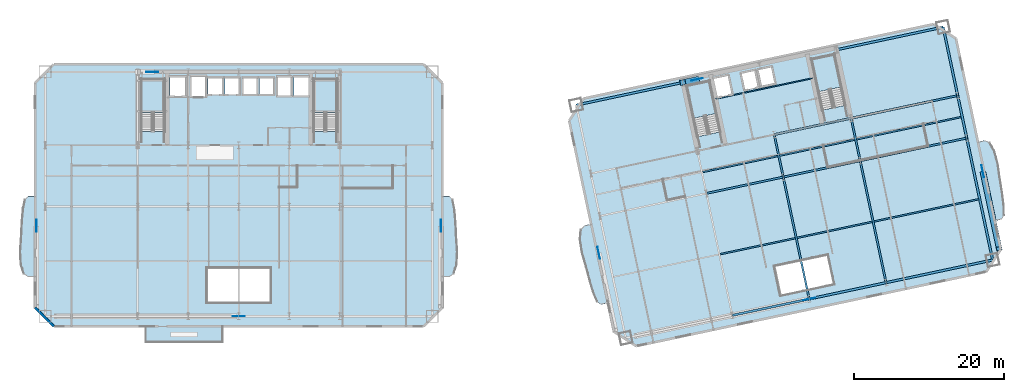
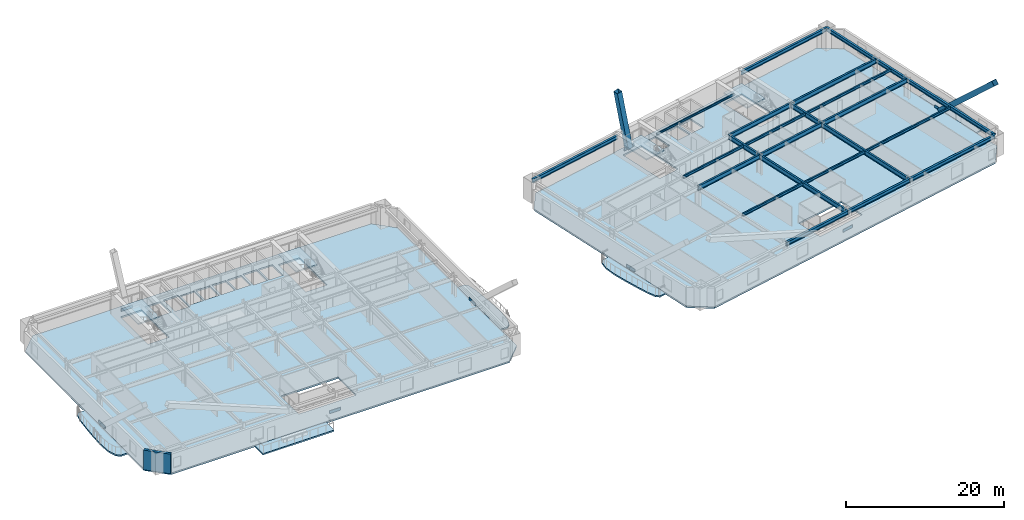
# One storey, part 4 of 17: 24 beams, 11 slabs, 8 plates, 2 members, 1 wall, 4 elements without a shape of their own.
"""IFC4 building model written with IfcOpenShell, lengths in metres."""

from ifc_helpers import new_model, si_unit, direction, frame, frame_2d, origin, origin_2d, place, context, subcontext, project, spatial, polyline, rectangle, hollow_rectangle, i_section, outline, extrude, material, layer, layer_set, material_profile, profile_set, type_object, element, aggregate, save


model = new_model("IFC4")

# Units and contexts
model_context = context("Model", 3, precision=1e-05, world=origin(), true_north=direction((0.0, 1.0)))
body_context = subcontext(model_context, "Body", "Model", "MODEL_VIEW")
ifc_project = project(units=[si_unit("LENGTHUNIT", "METRE"), si_unit("AREAUNIT", "SQUARE_METRE"), si_unit("VOLUMEUNIT", "CUBIC_METRE"), si_unit("PLANEANGLEUNIT", "RADIAN"), si_unit("MASSUNIT", "GRAM", prefix="KILO")], contexts=[model_context])

# Site, building, storey
site_placement = place(None, origin())
site = spatial("IfcSite", under=ifc_project, at=site_placement, CompositionType="ELEMENT")
building_placement = place(site_placement, origin())
building = spatial("IfcBuilding", under=site, at=building_placement, Name="Haevon Station Towers", CompositionType="ELEMENT")
storey_placement = place(building_placement, frame((0.0, 0.0, 40.5)))
storey = spatial("IfcBuildingStorey", under=building, at=storey_placement, Name="L09", CompositionType="ELEMENT", Elevation=40.5)

# Beams
ifc_material_1 = material(Name="Steel S355", Category="steel")
ifc_material_profile_1 = material_profile(ifc_material_1, i_section(OverallWidth=0.25, OverallDepth=0.699951171875, WebThickness=0.012939453125, FlangeThickness=0.02392578125, at=origin_2d()), Name="H-700x250x13x24")
ifc_profile_set_1 = profile_set([ifc_material_profile_1], Name="Steel S355")
beam_type_1 = type_object("IfcBeamType", Name="BM-G700", PredefinedType="BEAM", material=ifc_profile_set_1)
for number, where, z_axis, x_axis, name in (
    (1, (99.958251953125, 31.76904296875, 2.699951171875), (0.978146794194, 0.207915485254, 0.0), (-0.207915485254, 0.978146794194, 0.0), "BM-T2U-L09-02-02"),
    (2, (110.228759765625, 33.9521484375, 2.699951171875), (0.978146794194, 0.207915485254, 0.0), (-0.207915485254, 0.978146794194, 0.0), "BM-T2U-L09-02-03"),
):
    element("IfcBeam", number, at=place(storey_placement, frame(where, z_axis=z_axis, x_axis=x_axis)), inside=storey, type_object=beam_type_1, Name=name, PredefinedType="BEAM", context=body_context, shape_type="SweptSolid", body=[
        extrude(i_section(OverallWidth=0.25, OverallDepth=0.699951171875, WebThickness=0.012939453125, FlangeThickness=0.02392578125, at=origin_2d()), origin(), (0.0, 0.0, 1.0), 10.5),
    ])
beam_1_placement = place(storey_placement, frame((120.499267578125, 36.13525390625, 2.699951171875), z_axis=(0.978147548738, 0.207911935439, 0.0), x_axis=(-0.207911935439, 0.978147548738, 0.0)))
element("IfcBeam", 3, at=beam_1_placement, inside=storey, type_object=beam_type_1, Name="BM-T2U-L09-02-04", PredefinedType="BEAM", context=body_context, shape_type="SweptSolid", body=[
    extrude(i_section(OverallWidth=0.25, OverallDepth=0.699951171875, WebThickness=0.012939453125, FlangeThickness=0.02392578125, at=origin_2d()), origin(), (0.0, 0.0, 1.0), 14.550048828125),
])
beam_2_placement = place(storey_placement, frame((109.02294921875, 39.62548828125, 2.699951171875), z_axis=(0.978146794194, 0.207915485254, 0.0), x_axis=(-0.207915485254, 0.978146794194, 0.0)))
element("IfcBeam", 4, at=beam_2_placement, inside=storey, type_object=beam_type_1, Name="BM-T2U-L09-03-03", PredefinedType="BEAM", context=body_context, shape_type="SweptSolid", body=[
    extrude(i_section(OverallWidth=0.25, OverallDepth=0.699951171875, WebThickness=0.012939453125, FlangeThickness=0.02392578125, at=origin_2d()), origin(), (0.0, 0.0, 1.0), 10.5),
])
beam_3_placement = place(storey_placement, frame((119.29345703125, 41.80859375, 2.699951171875), z_axis=(0.978146823396, 0.207915347869, 0.0), x_axis=(-0.207915347869, 0.978146823396, 0.0)))
element("IfcBeam", 5, at=beam_3_placement, inside=storey, type_object=beam_type_1, Name="BM-T2U-L09-03-04", PredefinedType="BEAM", context=body_context, shape_type="SweptSolid", body=[
    extrude(i_section(OverallWidth=0.25, OverallDepth=0.699951171875, WebThickness=0.012939453125, FlangeThickness=0.02392578125, at=origin_2d()), origin(), (0.0, 0.0, 1.0), 14.5498046875),
])
beam_4_placement = place(storey_placement, frame((113.6904296875, 17.666015625, 2.699951171875), z_axis=(-0.20790856066, 0.978148266064, 0.0), x_axis=(-0.978148266064, -0.20790856066, 0.0)))
element("IfcBeam", 6, at=beam_4_placement, inside=storey, type_object=beam_type_1, Name="BM-T2V-L09-03-01", PredefinedType="BEAM", context=body_context, shape_type="SweptSolid", body=[
    extrude(i_section(OverallWidth=0.25, OverallDepth=0.699951171875, WebThickness=0.012939453125, FlangeThickness=0.02392578125, at=origin_2d()), origin(), (0.0, 0.0, 1.0), 16.64990234375),
])
beam_5_placement = place(storey_placement, frame((110.228759765625, 33.9521484375, 2.699951171875), z_axis=(-0.207896009217, 0.97815093383, 0.0), x_axis=(-0.97815093383, -0.207896009217, 0.0)))
element("IfcBeam", 7, at=beam_5_placement, inside=storey, type_object=beam_type_1, Name="BM-T2V-L09-03-02", PredefinedType="BEAM", context=body_context, shape_type="SweptSolid", body=[
    extrude(i_section(OverallWidth=0.25, OverallDepth=0.699951171875, WebThickness=0.012939453125, FlangeThickness=0.02392578125, at=origin_2d()), origin(), (0.0, 0.0, 1.0), 5.800048828125),
])
beam_6_placement = place(storey_placement, frame((123.961181640625, 19.84912109375, 2.699951171875), z_axis=(-0.207922589901, 0.978145283999, 0.0), x_axis=(-0.978145283999, -0.207922589901, 0.0)))
element("IfcBeam", 8, at=beam_6_placement, inside=storey, type_object=beam_type_1, Name="BM-T2V-L09-04-01", PredefinedType="BEAM", context=body_context, shape_type="SweptSolid", body=[
    extrude(i_section(OverallWidth=0.25, OverallDepth=0.699951171875, WebThickness=0.012939453125, FlangeThickness=0.02392578125, at=origin_2d()), origin(), (0.0, 0.0, 1.0), 16.64990234375),
])
beam_7_placement = place(storey_placement, frame((120.499267578125, 36.13525390625, 2.699951171875), z_axis=(-0.207896009217, 0.97815093383, 0.0), x_axis=(-0.97815093383, -0.207896009217, 0.0)))
element("IfcBeam", 9, at=beam_7_placement, inside=storey, type_object=beam_type_1, Name="BM-T2V-L09-04-02", PredefinedType="BEAM", context=body_context, shape_type="SweptSolid", body=[
    extrude(i_section(OverallWidth=0.25, OverallDepth=0.699951171875, WebThickness=0.012939453125, FlangeThickness=0.02392578125, at=origin_2d()), origin(), (0.0, 0.0, 1.0), 5.800048828125),
])
ifc_material_profile_2 = material_profile(ifc_material_1, i_section(OverallWidth=0.199951171875, OverallDepth=0.39990234375, WebThickness=0.008056640625, FlangeThickness=0.012939453125, at=origin_2d()), Name="H-400x200x8x13")
ifc_profile_set_2 = profile_set([ifc_material_profile_2], Name="Steel S355")
beam_type_2 = type_object("IfcBeamType", Name="BM-J400", PredefinedType="JOIST", material=ifc_profile_set_2)
for number, where, z_axis, x_axis, name in (
    (10, (101.796630859375, 23.64892578125, 2.85009765625), (0.978145509903, 0.207921527161, 0.0), (-0.207921527161, 0.978145509903, 0.0), "BM-T2J-L09-01-02"),
    (11, (112.067138671875, 25.83203125, 2.85009765625), (0.978150339653, 0.207898804801, 0.0), (-0.207898804801, 0.978150339653, 0.0), "BM-T2J-L09-01-03"),
):
    element("IfcBeam", number, at=place(storey_placement, frame(where, z_axis=z_axis, x_axis=x_axis)), inside=storey, type_object=beam_type_2, Name=name, PredefinedType="JOIST", context=body_context, shape_type="SweptSolid", body=[
        extrude(i_section(OverallWidth=0.199951171875, OverallDepth=0.39990234375, WebThickness=0.008056640625, FlangeThickness=0.012939453125, at=origin_2d()), origin(), (0.0, 0.0, 1.0), 10.280029296875),
    ])
beam_8_placement = place(storey_placement, frame((122.337890625, 28.01513671875, 2.85009765625), z_axis=(0.978149367314, 0.207903379537, 0.0), x_axis=(-0.207903379537, 0.978149367314, 0.0)))
element("IfcBeam", 12, at=beam_8_placement, inside=storey, type_object=beam_type_2, Name="BM-T2J-L09-01-04", PredefinedType="JOIST", context=body_context, shape_type="SweptSolid", body=[
    extrude(i_section(OverallWidth=0.199951171875, OverallDepth=0.39990234375, WebThickness=0.008056640625, FlangeThickness=0.012939453125, at=origin_2d()), origin(), (0.0, 0.0, 1.0), 14.330078125),
])
for number, where, z_axis, x_axis, name in (
    (13, (99.462890625, 34.628662109375, 2.85009765625), (0.978150339653, 0.207898804801, 0.0), (-0.207898804801, 0.978150339653, 0.0), "BM-T2J-L09-02-02"),
    (14, (109.7333984375, 36.811767578125, 2.85009765625), (0.978150339653, 0.207898804801, 0.0), (-0.207898804801, 0.978150339653, 0.0), "BM-T2J-L09-02-03"),
):
    element("IfcBeam", number, at=place(storey_placement, frame(where, z_axis=z_axis, x_axis=x_axis)), inside=storey, type_object=beam_type_2, Name=name, PredefinedType="JOIST", context=body_context, shape_type="SweptSolid", body=[
        extrude(i_section(OverallWidth=0.199951171875, OverallDepth=0.39990234375, WebThickness=0.008056640625, FlangeThickness=0.012939453125, at=origin_2d()), origin(), (0.0, 0.0, 1.0), 10.280029296875),
    ])
beam_9_placement = place(storey_placement, frame((120.00390625, 38.994873046875, 2.85009765625), z_axis=(0.978149367314, 0.207903379537, 0.0), x_axis=(-0.207903379537, 0.978149367314, 0.0)))
element("IfcBeam", 15, at=beam_9_placement, inside=storey, type_object=beam_type_2, Name="BM-T2J-L09-02-04", PredefinedType="JOIST", context=body_context, shape_type="SweptSolid", body=[
    extrude(i_section(OverallWidth=0.199951171875, OverallDepth=0.39990234375, WebThickness=0.008056640625, FlangeThickness=0.012939453125, at=origin_2d()), origin(), (0.0, 0.0, 1.0), 14.330078125),
])
ifc_material_profile_3 = material_profile(ifc_material_1, i_section(OverallWidth=0.14990234375, OverallDepth=0.300048828125, WebThickness=0.006591796875, FlangeThickness=0.009033203125, at=origin_2d()), Name="H-300x150x6.5x9")
ifc_profile_set_3 = profile_set([ifc_material_profile_3], Name="Steel S355")
beam_type_3 = type_object("IfcBeamType", Name="BM-LIN300", PredefinedType="LINTEL", material=ifc_profile_set_3)
beam_10_placement = place(storey_placement, frame((101.20849609375, 44.4052734375, 2.89990234375), z_axis=(0.978147802964, 0.207910739399, 0.0), x_axis=(-0.207910739399, 0.978147802964, 0.0)))
element("IfcBeam", 16, at=beam_10_placement, inside=storey, type_object=beam_type_3, Name="BM-T2LIN-L09", PredefinedType="LINTEL", context=body_context, shape_type="SweptSolid", body=[
    extrude(i_section(OverallWidth=0.14990234375, OverallDepth=0.300048828125, WebThickness=0.006591796875, FlangeThickness=0.009033203125, at=origin_2d()), origin(), (0.0, 0.0, 1.0), 13.19970703125),
])
ifc_material_profile_4 = material_profile(ifc_material_1, i_section(OverallWidth=0.300048828125, OverallDepth=0.587890625, WebThickness=0.011962890625, FlangeThickness=0.02001953125, at=origin_2d()), Name="H-588x300x12x20")
ifc_profile_set_4 = profile_set([ifc_material_profile_4], Name="Steel S355")
beam_type_4 = type_object("IfcBeamType", Name="BM-SP588", PredefinedType="SPANDREL", material=ifc_profile_set_4)
beam_11_placement = place(storey_placement, frame((103.419921875, 15.48291015625, 2.756103515625), z_axis=(0.978146794194, 0.207915485254, 0.0), x_axis=(-0.207915485254, 0.978146794194, 0.0)))
element("IfcBeam", 17, at=beam_11_placement, inside=storey, type_object=beam_type_4, Name="BM-T2U-L09-01-02", PredefinedType="SPANDREL", context=body_context, shape_type="SweptSolid", body=[
    extrude(i_section(OverallWidth=0.300048828125, OverallDepth=0.587890625, WebThickness=0.011962890625, FlangeThickness=0.02001953125, at=origin_2d()), origin(), (0.0, 0.0, 1.0), 10.5),
])
beam_12_placement = place(storey_placement, frame((113.6904296875, 17.666015625, 2.756103515625), z_axis=(0.978147799298, 0.207910756646, 0.0), x_axis=(-0.207910756646, 0.978147799298, 0.0)))
element("IfcBeam", 18, at=beam_12_placement, inside=storey, type_object=beam_type_4, Name="BM-T2U-L09-01-03", PredefinedType="SPANDREL", context=body_context, shape_type="SweptSolid", body=[
    extrude(i_section(OverallWidth=0.300048828125, OverallDepth=0.587890625, WebThickness=0.011962890625, FlangeThickness=0.02001953125, at=origin_2d()), origin(), (0.0, 0.0, 1.0), 10.500244140625),
])
for number, where, z_axis, x_axis, name in (
    (19, (123.961181640625, 19.84912109375, 2.756103515625), (0.978146823396, 0.207915347869, 0.0), (-0.207915347869, 0.978146823396, 0.0), "BM-T2U-L09-01-04"),
    (20, (82.576416015625, 43.56298828125, 2.756103515625), (0.978146823396, 0.207915347869, 0.0), (-0.207915347869, 0.978146823396, 0.0), "BM-T2U-L09-04-01"),
):
    element("IfcBeam", number, at=place(storey_placement, frame(where, z_axis=z_axis, x_axis=x_axis)), inside=storey, type_object=beam_type_4, Name=name, PredefinedType="SPANDREL", context=body_context, shape_type="SweptSolid", body=[
        extrude(i_section(OverallWidth=0.300048828125, OverallDepth=0.587890625, WebThickness=0.011962890625, FlangeThickness=0.02001953125, at=origin_2d()), origin(), (0.0, 0.0, 1.0), 14.5498046875),
    ])
beam_13_placement = place(storey_placement, frame((117.349365234375, 50.954345703125, 2.756103515625), z_axis=(0.978150960994, 0.207895881409, 0.0), x_axis=(-0.207895881409, 0.978150960994, 0.0)))
element("IfcBeam", 21, at=beam_13_placement, inside=storey, type_object=beam_type_4, Name="BM-T2U-L09-04-04", PredefinedType="SPANDREL", context=body_context, shape_type="SweptSolid", body=[
    extrude(i_section(OverallWidth=0.300048828125, OverallDepth=0.587890625, WebThickness=0.011962890625, FlangeThickness=0.02001953125, at=origin_2d()), origin(), (0.0, 0.0, 1.0), 14.550048828125),
])
beam_14_placement = place(storey_placement, frame((138.193115234375, 22.874267578125, 2.756103515625), z_axis=(-0.20790856066, 0.978148266064, 0.0), x_axis=(-0.978148266064, -0.20790856066, 0.0)))
element("IfcBeam", 22, at=beam_14_placement, inside=storey, type_object=beam_type_4, Name="BM-T2V-L09-05-01", PredefinedType="SPANDREL", context=body_context, shape_type="SweptSolid", body=[
    extrude(i_section(OverallWidth=0.300048828125, OverallDepth=0.587890625, WebThickness=0.011962890625, FlangeThickness=0.02001953125, at=origin_2d()), origin(), (0.0, 0.0, 1.0), 16.64990234375),
])
beam_15_placement = place(storey_placement, frame((134.7314453125, 39.160400390625, 2.756103515625), z_axis=(-0.207936282142, 0.978142373363, 0.0), x_axis=(-0.978142373363, -0.207936282142, 0.0)))
element("IfcBeam", 23, at=beam_15_placement, inside=storey, type_object=beam_type_4, Name="BM-T2V-L09-05-02", PredefinedType="SPANDREL", context=body_context, shape_type="SweptSolid", body=[
    extrude(i_section(OverallWidth=0.300048828125, OverallDepth=0.587890625, WebThickness=0.011962890625, FlangeThickness=0.02001953125, at=origin_2d()), origin(), (0.0, 0.0, 1.0), 5.800048828125),
])
beam_16_placement = place(storey_placement, frame((133.525390625, 44.833740234375, 2.756103515625), z_axis=(-0.207902477038, 0.978149559138, 0.0), x_axis=(-0.978149559138, -0.207902477038, 0.0)))
element("IfcBeam", 24, at=beam_16_placement, inside=storey, type_object=beam_type_4, Name="BM-T2V-L09-05-03", PredefinedType="SPANDREL", context=body_context, shape_type="SweptSolid", body=[
    extrude(i_section(OverallWidth=0.300048828125, OverallDepth=0.587890625, WebThickness=0.011962890625, FlangeThickness=0.02001953125, at=origin_2d()), origin(), (0.0, 0.0, 1.0), 9.349853515625),
])

# Members
ifc_material_2 = material(Name="Steel S460", Category="steel")
ifc_material_profile_5 = material_profile(ifc_material_2, hollow_rectangle(XDim=0.75, YDim=0.75, WallThickness=0.035888671875, at=origin_2d()), Name="RHS-750x750x36")
ifc_profile_set_5 = profile_set([ifc_material_profile_5], Name="Steel S460")
member_type = type_object("IfcMemberType", Name="MB-750", PredefinedType="BRACE", material=ifc_profile_set_5)
member_1_placement = place(storey_placement, frame((98.618896484375, 46.972900390625, 0.244873046875), z_axis=(-0.186968982425, -0.039733429922, 0.981561946164), x_axis=(0.207871375742, -0.978156169099, 0.0)))
element("IfcMember", 25, at=member_1_placement, inside=storey, type_object=member_type, Name="BR-T2MB-T00-N-D2B", PredefinedType="BRACE", context=body_context, shape_type="SweptSolid", body=[
    extrude(hollow_rectangle(XDim=0.75, YDim=0.75, WallThickness=0.035888671875, at=origin_2d()), origin(), (0.0, 0.0, 1.0), 9.68359375),
])
member_2_placement = place(storey_placement, frame((136.927490234375, 34.45654296875, 0.129150390625), z_axis=(0.151886920383, -0.714570342146, 0.68287596937), x_axis=(0.97814751572, 0.207912090777, 0.0)))
element("IfcMember", 26, at=member_2_placement, inside=storey, type_object=member_type, Name="BR-T2MB-T00-E-D2B", PredefinedType="BRACE", context=body_context, shape_type="SweptSolid", body=[
    extrude(hollow_rectangle(XDim=0.75, YDim=0.75, WallThickness=0.035888671875, at=origin_2d()), origin(), (0.0, 0.0, 1.0), 14.088623046875),
])

# Plates
ifc_material_3 = material(Name="PL-GUS1", Category="steel")
ifc_layer_1 = layer(ifc_material_3, 0.035888671875)
ifc_layer_set_1 = layer_set([ifc_layer_1], Name="PL-GUS1")
plate_type = type_object("IfcPlateType", Name="PL-GUS1", PredefinedType="USERDEFINED", material=ifc_layer_set_1)
for number, where, z_axis, x_axis, name in (
    (27, (37.5, 15.35009765625, -0.68505859375), (0.0, 0.0, 1.0), (1.0, 0.0, 0.0), "PL-T1GUS-T00-S"),
    (28, (25.97509765625, 48.0, -0.68505859375), (0.0, 0.0, 1.0), (1.0, 0.0, 0.0), "PL-T1GUS-T00-N"),
    (29, (10.47998046875, 27.425048828125, -0.68505859375), (0.0, 0.0, 1.0), (0.0, 1.0, 0.0), "PL-T1GUS-T00-W"),
    (30, (64.52001953125, 27.425048828125, -0.68505859375), (0.0, 0.0, 1.0), (0.0, 1.0, 0.0), "PL-T1GUS-T00-E"),
    (31, (113.6904296875, 17.666015625, -0.68505859375), (0.0, 0.0, 1.0), (0.978147600734, 0.207911690818, 0.0), "PL-T2GUS-T00-S"),
    (32, (98.69140625, 46.98828125, -0.68505859375), (0.0, 0.0, 1.0), (0.978147600734, 0.207911690818, 0.0), "PL-T2GUS-T00-N"),
    (33, (85.574462890625, 23.830078125, -0.68505859375), (0.0, 0.0, 1.0), (-0.207911690818, 0.978147600734, 0.0), "PL-T2GUS-T00-W"),
    (34, (136.86865234375, 34.73291015625, -0.68505859375), (0.0, 0.0, 1.0), (-0.207911690818, 0.978147600734, 0.0), "PL-T2GUS-T00-E"),
):
    element("IfcPlate", number, at=place(storey_placement, frame(where, z_axis=z_axis, x_axis=x_axis)), inside=storey, type_object=plate_type, Name=name, ObjectType="GUSSET_PLATE", PredefinedType="USERDEFINED", context=body_context, shape_type="SweptSolid", body=[
        extrude(rectangle(XDim=1.60009765625, YDim=0.035888671875, at=origin_2d()), origin(), (0.0, 0.0, 1.0), 1.10009765625),
    ])

# Slabs
ifc_material_4 = material(Name="Concrete C40/50", Category="concrete")
ifc_layer_2 = layer(ifc_material_4, 0.219970703125)
ifc_layer_set_2 = layer_set([ifc_layer_2], Name="Concrete C40/50")
slab_type_1 = type_object("IfcSlabType", Name="SL-BALC220", PredefinedType="FLOOR", material=ifc_layer_set_2)
slab_1_placement = place(storey_placement, frame((0.0, 0.0, -0.219970703125)))
element("IfcSlab", 35, at=slab_1_placement, inside=storey, type_object=slab_type_1, Name="Tower 1 L09 West SCALLOPED BALCONY", PredefinedType="FLOOR", context=body_context, shape_type="SweptSolid", body=[
    extrude(outline(polyline([(10.294921875, 31.39990234375), (9.337646484375, 31.39990234375), (8.94677734375, 30.989013671875), (8.70068359375, 29.818359375), (8.5302734375, 28.06640625), (8.37451171875, 26.0), (8.28759765625, 23.93359375), (8.40283203125, 22.181640625), (8.783935546875, 21.010986328125), (9.337646484375, 20.60009765625), (10.294921875, 20.60009765625), (10.294921875, 31.39990234375)])), origin(), (0.0, 0.0, 1.0), 0.219970703125),
])
slab_2_placement = place(storey_placement, frame((0.0, 0.0, -0.219970703125)))
element("IfcSlab", 36, at=slab_2_placement, inside=storey, type_object=slab_type_1, Name="Tower 1 L09 East SCALLOPED BALCONY", PredefinedType="FLOOR", context=body_context, shape_type="SweptSolid", body=[
    extrude(outline(polyline([(64.705078125, 20.60009765625), (65.662353515625, 20.60009765625), (66.216064453125, 21.010986328125), (66.59716796875, 22.181640625), (66.71240234375, 23.93359375), (66.62548828125, 26.0), (66.4697265625, 28.06640625), (66.29931640625, 29.818359375), (66.05322265625, 30.989013671875), (65.662353515625, 31.39990234375), (64.705078125, 31.39990234375), (64.705078125, 20.60009765625)])), origin(), (0.0, 0.0, 1.0), 0.219970703125),
])
slab_3_placement = place(storey_placement, frame((0.0, 0.0, -0.219970703125)))
element("IfcSlab", 37, at=slab_3_placement, inside=storey, type_object=slab_type_1, Name="Tower 1 L09 Planted Balcony Band", PredefinedType="FLOOR", context=body_context, shape_type="SweptSolid", body=[
    extrude(outline(polyline([(25.0, 11.89990234375), (35.39990234375, 11.89990234375), (35.39990234375, 13.9951171875), (25.0, 13.9951171875), (25.0, 11.89990234375)])), origin(), (0.0, 0.0, 1.0), 0.219970703125),
])
slab_4_placement = place(storey_placement, frame((0.0, 0.0, -0.219970703125)))
element("IfcSlab", 38, at=slab_4_placement, inside=storey, type_object=slab_type_1, Name="Tower 2 L09 West SCALLOPED BALCONY", PredefinedType="FLOOR", context=body_context, shape_type="SweptSolid", body=[
    extrude(outline(polyline([(84.567138671875, 27.6796875), (83.630615234375, 27.480712890625), (83.174560546875, 26.963623046875), (83.045166015625, 25.7392578125), (83.296875, 24.001708984375), (83.811279296875, 21.99853515625), (84.393310546875, 20.009521484375), (84.92431640625, 18.331298828125), (85.408447265625, 17.237548828125), (85.876220703125, 16.916748046875), (86.8125, 17.11572265625), (84.567138671875, 27.6796875)])), origin(), (0.0, 0.0, 1.0), 0.219970703125),
])
slab_5_placement = place(storey_placement, frame((0.0, 0.0, -0.219970703125)))
element("IfcSlab", 39, at=slab_5_placement, inside=storey, type_object=slab_type_1, Name="Tower 2 L09 East SCALLOPED BALCONY", PredefinedType="FLOOR", context=body_context, shape_type="SweptSolid", body=[
    extrude(outline(polyline([(138.468505859375, 28.095703125), (139.405029296875, 28.294677734375), (139.70166015625, 28.778076171875), (139.69921875, 29.97412109375), (139.501708984375, 31.72314453125), (139.224365234375, 33.77685546875), (138.879638671875, 35.81640625), (138.40283203125, 37.505859375), (137.78662109375, 38.57177734375), (137.159423828125, 38.858642578125), (136.22314453125, 38.65966796875), (138.468505859375, 28.095703125)])), origin(), (0.0, 0.0, 1.0), 0.219970703125),
])

# Stair, slab
stair_type = type_object("IfcStairType", Name="STR-DL1450", PredefinedType="USERDEFINED", material=ifc_material_4)
stair_1_placement = place(storey_placement, origin())
stair_1 = element("IfcStair", 40, at=stair_1_placement, inside=storey, type_object=stair_type, Name="L09 Escape Stair ST1", ObjectType="TWO_RETURN_STAIR", PredefinedType="USERDEFINED")
ifc_layer_3 = layer(ifc_material_4, 0.199951171875)
ifc_layer_set_3 = layer_set([ifc_layer_3], Name="Concrete C40/50")
slab_type_2 = type_object("IfcSlabType", Name="SL-LND200", PredefinedType="LANDING", material=ifc_layer_set_3)
slab_6_placement = place(storey_placement, frame((0.0, 0.0, 1.449951171875)))
slab_6 = element("IfcSlab", 41, at=slab_6_placement, type_object=slab_type_2, Name="L09 ST1 Half Landing 1", PredefinedType="LANDING", context=body_context, shape_type="SweptSolid", body=[
    extrude(outline(polyline([(27.580078125, 42.56396484375), (27.580078125, 47.0), (24.47998046875, 47.0), (24.47998046875, 42.56396484375), (27.580078125, 42.56396484375)])), origin(), (0.0, 0.0, 1.0), 0.199951171875),
])
aggregate(stair_1, [slab_6])

stair_2_placement = place(storey_placement, origin())
stair_2 = element("IfcStair", 42, at=stair_2_placement, inside=storey, type_object=stair_type, Name="L09 Escape Stair ST2", ObjectType="TWO_RETURN_STAIR", PredefinedType="USERDEFINED")
slab_7_placement = place(storey_placement, frame((0.0, 0.0, 1.449951171875)))
slab_7 = element("IfcSlab", 43, at=slab_7_placement, type_object=slab_type_2, Name="L09 ST2 Half Landing 1", PredefinedType="LANDING", context=body_context, shape_type="SweptSolid", body=[
    extrude(outline(polyline([(50.6201171875, 42.56396484375), (50.6201171875, 47.0), (47.52001953125, 47.0), (47.52001953125, 42.56396484375), (50.6201171875, 42.56396484375)])), origin(), (0.0, 0.0, 1.0), 0.199951171875),
])
aggregate(stair_2, [slab_7])

stair_3_placement = place(storey_placement, origin())
stair_3 = element("IfcStair", 44, at=stair_3_placement, inside=storey, type_object=stair_type, Name="L09 Escape Stair ST3", ObjectType="TWO_RETURN_STAIR", PredefinedType="USERDEFINED")
slab_8_placement = place(storey_placement, frame((0.0, 0.0, 1.449951171875)))
slab_8 = element("IfcSlab", 45, at=slab_8_placement, type_object=slab_type_2, Name="L09 ST3 Half Landing 1", PredefinedType="LANDING", context=body_context, shape_type="SweptSolid", body=[
    extrude(outline(polyline([(101.2880859375, 42.44287109375), (100.36572265625, 46.781982421875), (97.33349609375, 46.137451171875), (98.255859375, 41.79833984375), (101.2880859375, 42.44287109375)])), origin(), (0.0, 0.0, 1.0), 0.199951171875),
])
aggregate(stair_3, [slab_8])

stair_4_placement = place(storey_placement, origin())
stair_4 = element("IfcStair", 46, at=stair_4_placement, inside=storey, type_object=stair_type, Name="L09 Escape Stair ST4", ObjectType="TWO_RETURN_STAIR", PredefinedType="USERDEFINED")
slab_9_placement = place(storey_placement, frame((0.0, 0.0, 1.449951171875)))
slab_9 = element("IfcSlab", 47, at=slab_9_placement, type_object=slab_type_2, Name="L09 ST4 Half Landing 1", PredefinedType="LANDING", context=body_context, shape_type="SweptSolid", body=[
    extrude(outline(polyline([(117.975341796875, 45.989990234375), (117.052978515625, 50.328857421875), (114.020751953125, 49.684326171875), (114.943115234375, 45.345458984375), (117.975341796875, 45.989990234375)])), origin(), (0.0, 0.0, 1.0), 0.199951171875),
])
aggregate(stair_4, [slab_9])

# Slabs
ifc_layer_4 = layer(ifc_material_4, 0.25)
ifc_layer_set_4 = layer_set([ifc_layer_4], Name="Concrete C40/50")
slab_type_3 = type_object("IfcSlabType", Name="SL-TW250", PredefinedType="FLOOR", material=ifc_layer_set_4)
slab_10_placement = place(storey_placement, frame((0.0, 0.0, -0.25)))
element("IfcSlab", 48, at=slab_10_placement, inside=storey, type_object=slab_type_3, Name="SL-T1-L09", PredefinedType="FLOOR", context=body_context, shape_type="SweptSolid", body=[
    extrude(outline(polyline([(12.800048828125, 14.0), (62.199951171875, 14.0), (64.699951171875, 16.5), (64.699951171875, 46.5), (62.199951171875, 49.0), (12.800048828125, 49.0), (10.300048828125, 46.5), (10.300048828125, 16.5), (12.800048828125, 14.0)]), holes=[polyline([(27.580078125, 40.055908203125), (27.580078125, 47.0), (24.47998046875, 47.0), (24.47998046875, 40.055908203125), (27.580078125, 40.055908203125)]), polyline([(50.6201171875, 40.055908203125), (50.6201171875, 47.0), (47.52001953125, 47.0), (47.52001953125, 40.055908203125), (50.6201171875, 40.055908203125)]), polyline([(28.300048828125, 44.699951171875), (30.5, 44.699951171875), (30.5, 47.39990234375), (28.300048828125, 47.39990234375), (28.300048828125, 44.699951171875)]), polyline([(31.050048828125, 44.60009765625), (33.14990234375, 44.60009765625), (33.14990234375, 47.5), (31.050048828125, 47.5), (31.050048828125, 44.60009765625)]), polyline([(33.39990234375, 44.89990234375), (35.39990234375, 44.89990234375), (35.39990234375, 47.300048828125), (33.39990234375, 47.300048828125), (33.39990234375, 44.89990234375)]), polyline([(35.64990234375, 44.89990234375), (37.64990234375, 44.89990234375), (37.64990234375, 47.300048828125), (35.64990234375, 47.300048828125), (35.64990234375, 44.89990234375)]), polyline([(38.0, 44.89990234375), (40.0, 44.89990234375), (40.0, 47.300048828125), (38.0, 47.300048828125), (38.0, 44.89990234375)]), polyline([(40.25, 44.89990234375), (42.25, 44.89990234375), (42.25, 47.300048828125), (40.25, 47.300048828125), (40.25, 44.89990234375)]), polyline([(42.60009765625, 44.699951171875), (44.60009765625, 44.699951171875), (44.60009765625, 47.39990234375), (42.60009765625, 47.39990234375), (42.60009765625, 44.699951171875)]), polyline([(44.85009765625, 44.699951171875), (46.85009765625, 44.699951171875), (46.85009765625, 47.39990234375), (44.85009765625, 47.39990234375), (44.85009765625, 44.699951171875)]), polyline([(33.300048828125, 17.199951171875), (41.699951171875, 17.199951171875), (41.699951171875, 21.800048828125), (33.300048828125, 21.800048828125), (33.300048828125, 17.199951171875)])]), origin(), (0.0, 0.0, 1.0), 0.25),
])
slab_11_placement = place(storey_placement, frame((0.0, 0.0, -0.25)))
element("IfcSlab", 49, at=slab_11_placement, inside=storey, type_object=slab_type_3, Name="SL-T2-L09", PredefinedType="FLOOR", context=body_context, shape_type="SweptSolid", body=[
    extrude(outline(polyline([(90.593505859375, 11.37646484375), (137.348876953125, 21.314697265625), (139.2744140625, 24.27978515625), (133.28662109375, 52.450439453125), (130.321533203125, 54.3759765625), (83.566162109375, 44.43798828125), (81.640380859375, 41.47265625), (87.62841796875, 13.302001953125), (90.593505859375, 11.37646484375)]), holes=[polyline([(101.8095703125, 39.98974609375), (100.36572265625, 46.781982421875), (97.33349609375, 46.137451171875), (98.77734375, 39.34521484375), (101.8095703125, 39.98974609375)]), polyline([(118.496826171875, 43.53662109375), (117.052978515625, 50.328857421875), (114.020751953125, 49.684326171875), (115.464599609375, 42.89208984375), (118.496826171875, 43.53662109375)]), polyline([(101.43212890625, 44.554931640625), (103.486328125, 44.99169921875), (102.9248046875, 47.632568359375), (100.870849609375, 47.196044921875), (101.43212890625, 44.554931640625)]), polyline([(105.009765625, 45.519775390625), (106.966064453125, 45.935791015625), (106.467041015625, 48.283203125), (104.5107421875, 47.867431640625), (105.009765625, 45.519775390625)]), polyline([(107.259521484375, 45.998046875), (109.2158203125, 46.413818359375), (108.716796875, 48.761474609375), (106.760498046875, 48.345703125), (107.259521484375, 45.998046875)]), polyline([(109.9091796875, 18.140380859375), (116.951904296875, 19.63720703125), (116.120361328125, 23.5498046875), (109.07763671875, 22.052978515625), (109.9091796875, 18.140380859375)])]), origin(), (0.0, 0.0, 1.0), 0.25),
])

# Wall
ifc_material_5 = material(Name="Precast concrete C45/55", Category="concrete")
ifc_layer_5 = layer(ifc_material_5, 0.340087890625)
ifc_layer_set_5 = layer_set([ifc_layer_5], Name="Precast concrete C45/55")
wall_type = type_object("IfcWallType", Name="WL-EXT-PIER340", PredefinedType="SOLIDWALL", material=ifc_layer_set_5)
wall_placement = place(storey_placement, frame((12.800048828125, 14.0, 0.0), z_axis=(0.0, 0.0, 1.0), x_axis=(-0.707106781187, 0.707106781187, 0.0)))
element("IfcWall", 50, at=wall_placement, inside=storey, type_object=wall_type, Name="WL-T1-L09-SWC", PredefinedType="SOLIDWALL", context=body_context, shape_type="SweptSolid", body=[
    extrude(rectangle(XDim=3.53564453125, YDim=0.340087890625, at=frame_2d((1.767822265625, 0.0))), origin(), (0.0, 0.0, 1.0), 3.030029296875),
])

save(model, "model.ifc")
